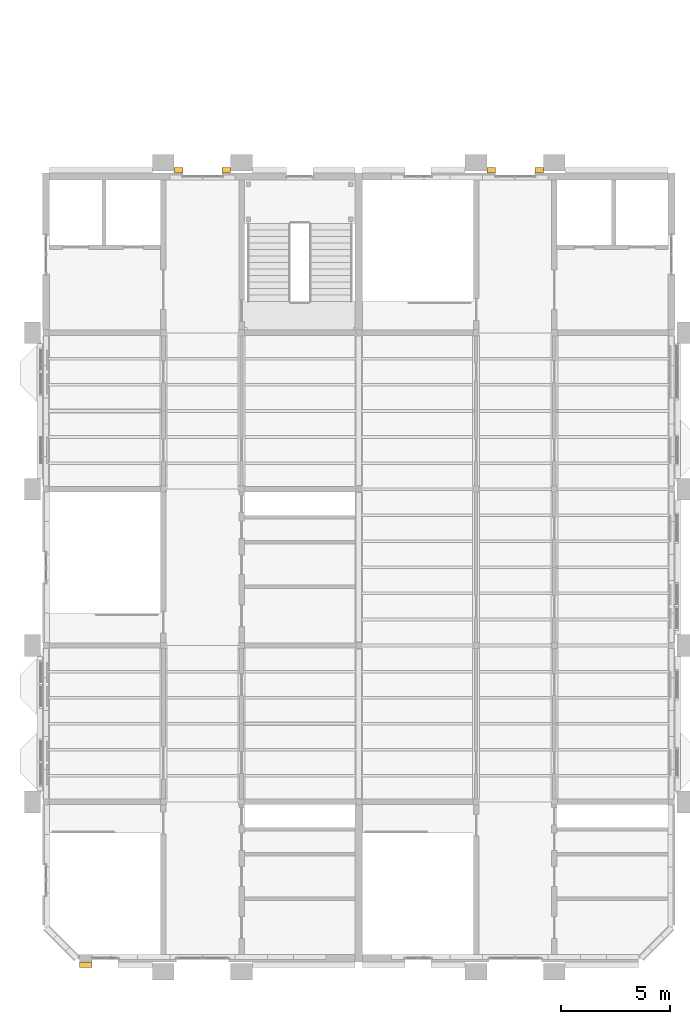
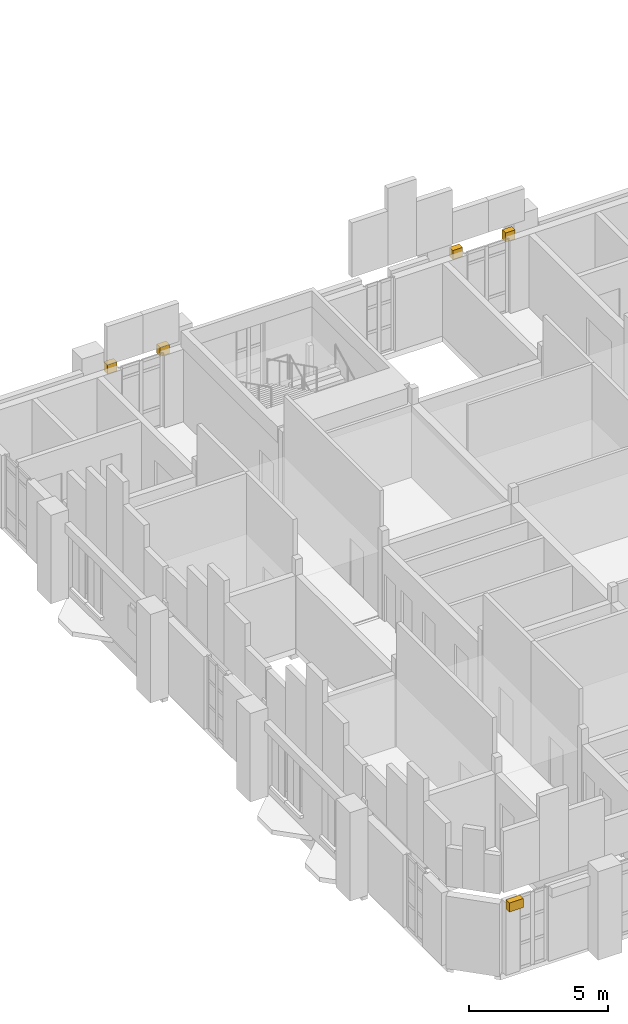
# One storey, part 51 of 51: 5 coverings.
"""IFC4 building model written with IfcOpenShell, lengths in metres."""

from ifc_helpers import new_model, si_unit, direction, frame, origin, place, context, subcontext, project, spatial, polyline, outline, extrude, material, layer, layer_set, type_object, element, save


model = new_model("IFC4")

# Units and contexts
model_context = context("Model", 3, precision=1e-05, world=origin(), true_north=direction((0.0, 1.0)))
body_context = subcontext(model_context, "Body", "Model", "MODEL_VIEW")
ifc_project = project(units=[si_unit("LENGTHUNIT", "METRE"), si_unit("AREAUNIT", "SQUARE_METRE"), si_unit("VOLUMEUNIT", "CUBIC_METRE"), si_unit("PLANEANGLEUNIT", "RADIAN"), si_unit("MASSUNIT", "GRAM", prefix="KILO")], contexts=[model_context])

# Site, building, storey
site_placement = place(None, origin())
site = spatial("IfcSite", under=ifc_project, at=site_placement, CompositionType="ELEMENT")
building_placement = place(site_placement, origin())
building = spatial("IfcBuilding", under=site, at=building_placement, Name="Mazhai Court Health Centre", CompositionType="ELEMENT")
storey_placement = place(building_placement, frame((0.0, 0.0, 14.10009765625)))
storey = spatial("IfcBuildingStorey", under=building, at=storey_placement, Name="L03", CompositionType="ELEMENT", Elevation=14.10009765625)

# Coverings
ifc_material = material(Name="Clay brick masonry", Category="masonry")
ifc_layer = layer(ifc_material, 0.25)
ifc_layer_set = layer_set([ifc_layer], Name="BRICK BAND 250")
covering_type = type_object("IfcCoveringType", Name="BRICK BAND 250", PredefinedType="MOLDING", material=ifc_layer_set)
covering_1_placement = place(storey_placement, frame((0.0, 0.0, 2.949951171875)))
element("IfcCovering", 1, at=covering_1_placement, inside=storey, type_object=covering_type, Name="EB-V2-L03-Sp0-0", PredefinedType="MOLDING", context=body_context, shape_type="SweptSolid", body=[
    extrude(outline(polyline([(8.320068359375, 6.034912109375), (7.73095703125, 6.034912109375), (7.73095703125, 5.784912109375), (8.320068359375, 5.784912109375), (8.320068359375, 6.034912109375)])), origin(), (0.0, 0.0, 1.0), 0.39990234375),
])
covering_2_placement = place(storey_placement, frame((0.0, 0.0, 2.949951171875)))
element("IfcCovering", 2, at=covering_2_placement, inside=storey, type_object=covering_type, Name="EB-V2-L03-Ep0-1", PredefinedType="MOLDING", context=body_context, shape_type="SweptSolid", body=[
    extrude(outline(polyline([(12.10009765625, 42.364990234375), (12.5, 42.364990234375), (12.5, 42.614990234375), (12.10009765625, 42.614990234375), (12.10009765625, 42.364990234375)])), origin(), (0.0, 0.0, 1.0), 0.39990234375),
])
covering_3_placement = place(storey_placement, frame((0.0, 0.0, 2.949951171875)))
element("IfcCovering", 3, at=covering_3_placement, inside=storey, type_object=covering_type, Name="EB-V2-L03-Ep1-0", PredefinedType="MOLDING", context=body_context, shape_type="SweptSolid", body=[
    extrude(outline(polyline([(14.300048828125, 42.364990234375), (14.699951171875, 42.364990234375), (14.699951171875, 42.614990234375), (14.300048828125, 42.614990234375), (14.300048828125, 42.364990234375)])), origin(), (0.0, 0.0, 1.0), 0.39990234375),
])
covering_4_placement = place(storey_placement, frame((0.0, 0.0, 2.949951171875)))
element("IfcCovering", 4, at=covering_4_placement, inside=storey, type_object=covering_type, Name="EB-V5-L03-Ep1-1", PredefinedType="MOLDING", context=body_context, shape_type="SweptSolid", body=[
    extrude(outline(polyline([(26.5, 42.364990234375), (26.89990234375, 42.364990234375), (26.89990234375, 42.614990234375), (26.5, 42.614990234375), (26.5, 42.364990234375)])), origin(), (0.0, 0.0, 1.0), 0.39990234375),
])
covering_5_placement = place(storey_placement, frame((0.0, 0.0, 2.949951171875)))
element("IfcCovering", 5, at=covering_5_placement, inside=storey, type_object=covering_type, Name="EB-V5-L03-Ep2-0", PredefinedType="MOLDING", context=body_context, shape_type="SweptSolid", body=[
    extrude(outline(polyline([(28.699951171875, 42.364990234375), (29.10009765625, 42.364990234375), (29.10009765625, 42.614990234375), (28.699951171875, 42.614990234375), (28.699951171875, 42.364990234375)])), origin(), (0.0, 0.0, 1.0), 0.39990234375),
])

save(model, "model.ifc")
